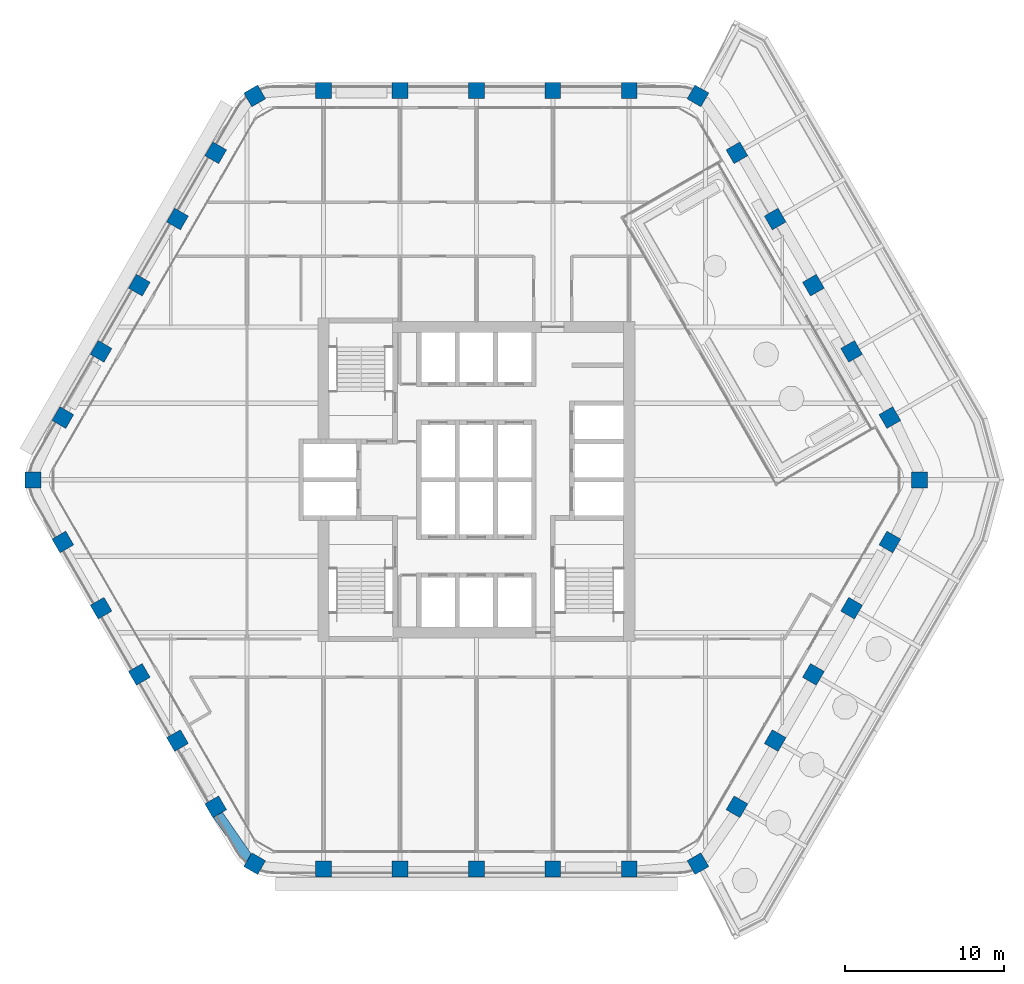
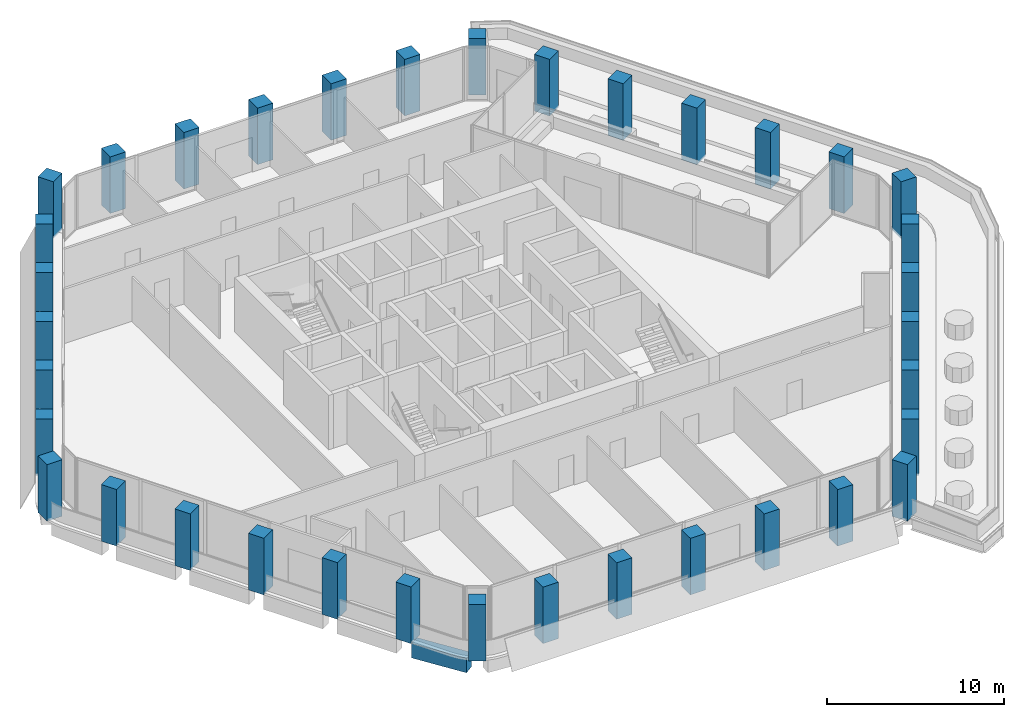
# One storey, part 1 of 17: 36 columns, 1 beam.
"""IFC4 building model written with IfcOpenShell, lengths in metres."""

from ifc_helpers import new_model, si_unit, direction, frame, origin, origin_2d, place, context, subcontext, project, spatial, rectangle, extrude, material, material_profile, profile_set, type_object, element, save


model = new_model("IFC4")

# Units and contexts
model_context = context("Model", 3, precision=1e-05, world=origin(), true_north=direction((0.0, 1.0)))
body_context = subcontext(model_context, "Body", "Model", "MODEL_VIEW")
ifc_project = project(units=[si_unit("LENGTHUNIT", "METRE"), si_unit("AREAUNIT", "SQUARE_METRE"), si_unit("VOLUMEUNIT", "CUBIC_METRE"), si_unit("PLANEANGLEUNIT", "RADIAN"), si_unit("MASSUNIT", "GRAM", prefix="KILO")], contexts=[model_context])

# Site, building, storey
site_placement = place(None, origin())
site = spatial("IfcSite", under=ifc_project, at=site_placement, CompositionType="ELEMENT")
building_placement = place(site_placement, origin())
building = spatial("IfcBuilding", under=site, at=building_placement, Name="Kolab Exchange Tower", CompositionType="ELEMENT")
storey_placement = place(building_placement, frame((0.0, 0.0, 181.699951171875)))
storey = spatial("IfcBuildingStorey", under=building, at=storey_placement, Name="L38", CompositionType="ELEMENT", Elevation=181.699951171875)

# Columns
ifc_material = material(Name="Concrete C60/75", Category="concrete")
ifc_material_profile_1 = material_profile(ifc_material, rectangle(XDim=1.0, YDim=1.0, at=origin_2d()), Name="RC1000")
ifc_profile_set_1 = profile_set([ifc_material_profile_1], Name="Concrete C60/75")
column_type = type_object("IfcColumnType", Name="PERIMETER COLUMN 1000 SQ C60/75", PredefinedType="COLUMN", material=ifc_profile_set_1)
for number, where, z_axis, x_axis, name in (
    (1, (-13.91796875, 24.106689453125, -0.14990234375), (0.0, 0.0, 1.0), (0.866025403784, 0.5, 0.0), "col/L38/F1-01"),
    (2, (-9.60009765625, 24.441650390625, -0.14990234375), (0.0, 0.0, 1.0), (1.0, 0.0, 0.0), "col/L38/F1-02"),
    (3, (-4.800048828125, 24.441650390625, -0.14990234375), (0.0, 0.0, 1.0), (1.0, 0.0, 0.0), "col/L38/F1-03"),
    (4, (0.0, 24.441650390625, -0.14990234375), (0.0, 0.0, 1.0), (1.0, 0.0, 0.0), "col/L38/F1-04"),
    (5, (4.800048828125, 24.441650390625, -0.14990234375), (0.0, 0.0, 1.0), (1.0, 0.0, 0.0), "col/L38/F1-05"),
    (6, (9.60009765625, 24.441650390625, -0.14990234375), (0.0, 0.0, 1.0), (1.0, 0.0, 0.0), "col/L38/F1-06"),
    (7, (13.91796875, 24.106689453125, -0.14990234375), (0.0, 0.0, 1.0), (0.5, 0.866025403784, 0.0), "col/L38/F2-01"),
    (8, (16.366943359375, 20.53466796875, -0.14990234375), (0.0, 0.0, 1.0), (0.866025403784, 0.5, 0.0), "col/L38/F2-02"),
    (9, (18.76708984375, 16.377685546875, -0.14990234375), (0.0, 0.0, 1.0), (0.866025403784, 0.5, 0.0), "col/L38/F2-03"),
    (10, (21.1669921875, 12.220703125, -0.14990234375), (0.0, 0.0, 1.0), (0.866025403784, 0.5, 0.0), "col/L38/F2-04"),
    (11, (23.56689453125, 8.06396484375, -0.14990234375), (0.0, 0.0, 1.0), (0.866025403784, 0.5, 0.0), "col/L38/F2-05"),
    (12, (25.967041015625, 3.906982421875, -0.14990234375), (0.0, 0.0, 1.0), (0.866025403784, 0.5, 0.0), "col/L38/F2-06"),
    (13, (27.8359375, 0.0, -0.14990234375), (0.0, 0.0, 1.0), (1.0, 0.0, 0.0), "col/L38/F3-01"),
    (14, (25.967041015625, -3.906982421875, -0.14990234375), (0.0, 0.0, 1.0), (0.5, 0.866025403784, 0.0), "col/L38/F3-02"),
    (15, (23.56689453125, -8.06396484375, -0.14990234375), (0.0, 0.0, 1.0), (0.5, 0.866025403784, 0.0), "col/L38/F3-03"),
    (16, (21.1669921875, -12.220703125, -0.14990234375), (0.0, 0.0, 1.0), (0.5, 0.866025403784, 0.0), "col/L38/F3-04"),
    (17, (18.76708984375, -16.377685546875, -0.14990234375), (0.0, 0.0, 1.0), (0.5, 0.866025403784, 0.0), "col/L38/F3-05"),
    (18, (16.366943359375, -20.53466796875, -0.14990234375), (0.0, 0.0, 1.0), (0.5, 0.866025403784, 0.0), "col/L38/F3-06"),
    (19, (13.91796875, -24.106689453125, -0.14990234375), (0.0, 0.0, 1.0), (0.866025403784, 0.5, 0.0), "col/L38/F4-01"),
    (20, (9.60009765625, -24.441650390625, -0.14990234375), (0.0, 0.0, 1.0), (1.0, 0.0, 0.0), "col/L38/F4-02"),
    (21, (4.800048828125, -24.441650390625, -0.14990234375), (0.0, 0.0, 1.0), (1.0, 0.0, 0.0), "col/L38/F4-03"),
    (22, (0.0, -24.441650390625, -0.14990234375), (0.0, 0.0, 1.0), (1.0, 0.0, 0.0), "col/L38/F4-04"),
    (23, (-4.800048828125, -24.441650390625, -0.14990234375), (0.0, 0.0, 1.0), (1.0, 0.0, 0.0), "col/L38/F4-05"),
    (24, (-9.60009765625, -24.441650390625, -0.14990234375), (0.0, 0.0, 1.0), (1.0, 0.0, 0.0), "col/L38/F4-06"),
    (25, (-13.91796875, -24.106689453125, -0.14990234375), (0.0, 0.0, 1.0), (0.5, 0.866025403784, 0.0), "col/L38/F5-01"),
    (26, (-16.366943359375, -20.53466796875, -0.14990234375), (0.0, 0.0, 1.0), (0.866025403784, 0.5, 0.0), "col/L38/F5-02"),
    (27, (-18.76708984375, -16.377685546875, -0.14990234375), (0.0, 0.0, 1.0), (0.866025403784, 0.5, 0.0), "col/L38/F5-03"),
    (28, (-21.1669921875, -12.220703125, -0.14990234375), (0.0, 0.0, 1.0), (0.866025403784, 0.5, 0.0), "col/L38/F5-04"),
    (29, (-23.56689453125, -8.06396484375, -0.14990234375), (0.0, 0.0, 1.0), (0.866025403784, 0.5, 0.0), "col/L38/F5-05"),
    (30, (-25.967041015625, -3.906982421875, -0.14990234375), (0.0, 0.0, 1.0), (0.866025403784, 0.5, 0.0), "col/L38/F5-06"),
    (31, (-27.8359375, 0.0, -0.14990234375), (0.0, 0.0, 1.0), (1.0, 0.0, 0.0), "col/L38/F6-01"),
    (32, (-25.967041015625, 3.906982421875, -0.14990234375), (0.0, 0.0, 1.0), (0.5, 0.866025403784, 0.0), "col/L38/F6-02"),
    (33, (-23.56689453125, 8.06396484375, -0.14990234375), (0.0, 0.0, 1.0), (0.5, 0.866025403784, 0.0), "col/L38/F6-03"),
    (34, (-21.1669921875, 12.220703125, -0.14990234375), (0.0, 0.0, 1.0), (0.5, 0.866025403784, 0.0), "col/L38/F6-04"),
    (35, (-18.76708984375, 16.377685546875, -0.14990234375), (0.0, 0.0, 1.0), (0.5, 0.866025403784, 0.0), "col/L38/F6-05"),
    (36, (-16.366943359375, 20.53466796875, -0.14990234375), (0.0, 0.0, 1.0), (0.5, 0.866025403784, 0.0), "col/L38/F6-06"),
):
    element("IfcColumn", number, at=place(storey_placement, frame(where, z_axis=z_axis, x_axis=x_axis)), inside=storey, type_object=column_type, Name=name, PredefinedType="COLUMN", context=body_context, shape_type="SweptSolid", body=[
        extrude(rectangle(XDim=1.0, YDim=1.0, at=origin_2d()), origin(), (0.0, 0.0, 1.0), 3.89990234375),
    ])

# Beam
ifc_material_profile_2 = material_profile(ifc_material, rectangle(XDim=0.64990234375, YDim=1.0, at=origin_2d()), Name="RC650X1000")
ifc_profile_set_2 = profile_set([ifc_material_profile_2], Name="Concrete C60/75")
beam_type = type_object("IfcBeamType", Name="SPANDREL BEAM 650X1000 C60/75", PredefinedType="BEAM", material=ifc_profile_set_2)
beam_placement = place(storey_placement, frame((-14.29736328125, -23.8359375, -0.64990234375), z_axis=(-0.568572281073, 0.822633309073, 0.0), x_axis=(-0.822633309073, -0.568572281073, 0.0)))
element("IfcBeam", 37, at=beam_placement, inside=storey, type_object=beam_type, Name="beam/L38/sp/F5-01", PredefinedType="BEAM", context=body_context, shape_type="SweptSolid", body=[
    extrude(rectangle(XDim=0.64990234375, YDim=1.0, at=origin_2d()), origin(), (0.0, 0.0, 1.0), 3.445068359375),
])

save(model, "model.ifc")
